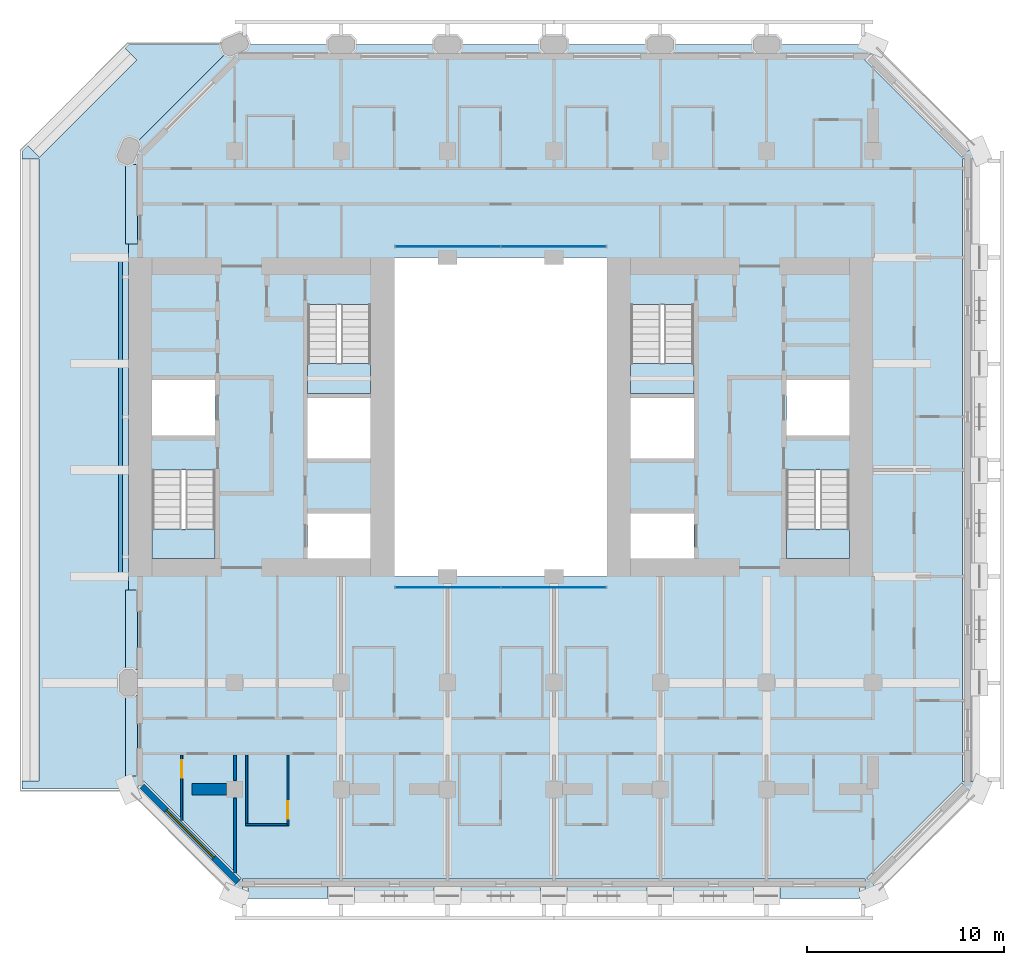
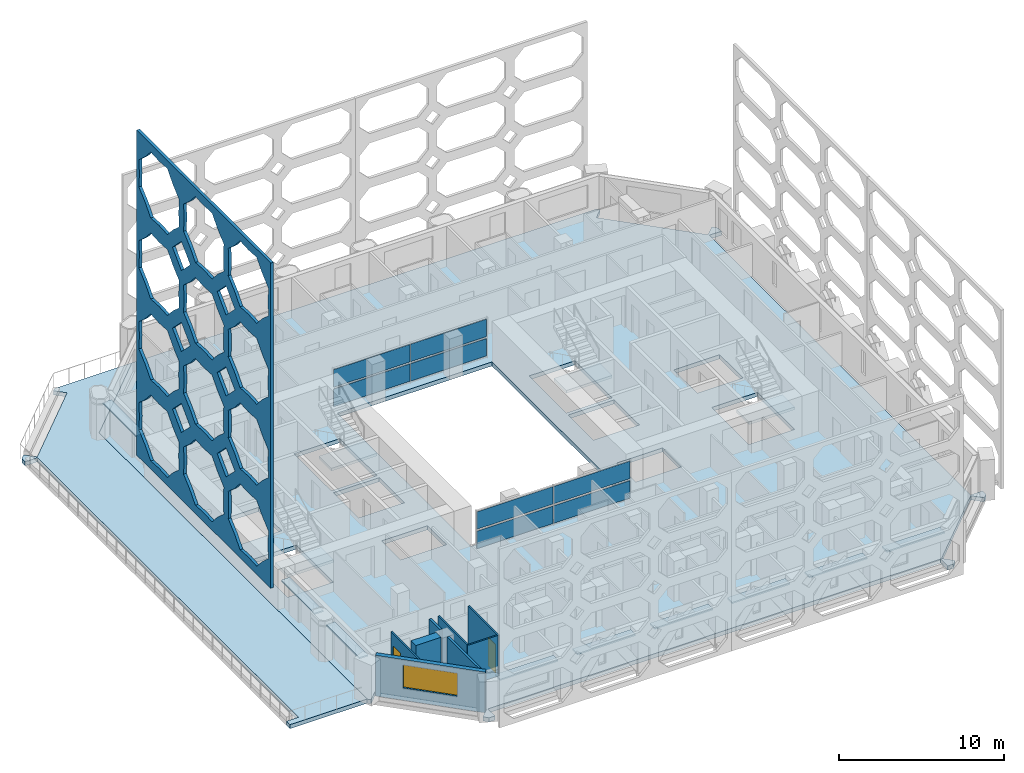
# One storey, part 5 of 16: 18 plates, 8 walls, 6 slabs, 2 doors, 1 window, 3 openings, 6 elements without a shape of their own.
"""IFC4 building model written with IfcOpenShell, lengths in metres."""

import ifcopenshell
import ifcopenshell.guid

model = None  # the IFC model being written
_history = None  # IfcOwnerHistory: only IFC2X3 demands one
_inside = {}  # id of a spatial element -> (the spatial element, [elements in it])
_under = {}  # id of a project, library or spatial element -> (it, [spatial elements below it])
_declared = {}  # id of a project -> (the project, [libraries it declares])
_typed = {}  # id of a type object -> (the type object, [elements of that type])
_made_of = {}  # id of a material, layer set ... -> (it, [elements and type objects made of it])


def new_model(schema):
    """Start an empty IFC model of exactly this schema.

    Asked for "IFC4X3", IfcOpenShell would pick the latest addendum, in which some entities
    have other attributes; the version numbers below select the first issue.
    IFC2X3 requires an IfcOwnerHistory on every rooted entity: one is made here for all.
    """
    global model, _history
    if schema == "IFC4X3":
        model = ifcopenshell.file(schema_version=(4, 3, 0, 0))
    else:
        model = ifcopenshell.file(schema=schema)
    _inside.clear()
    _under.clear()
    _declared.clear()
    _typed.clear()
    _made_of.clear()
    _history = None
    if model.schema == "IFC2X3":
        org = make("IfcOrganization", Name="unknown")
        user = make(
            "IfcPersonAndOrganization",
            ThePerson=make("IfcPerson", FamilyName="unknown"),
            TheOrganization=org,
        )
        app = make(
            "IfcApplication",
            ApplicationDeveloper=org,
            Version="unknown",
            ApplicationFullName="unknown",
            ApplicationIdentifier="unknown",
        )
        _history = make(
            "IfcOwnerHistory",
            OwningUser=user,
            OwningApplication=app,
            ChangeAction="ADDED",
            CreationDate=0,
        )
    return model


def make(cls, **values):
    """One entity of the class cls with the attributes given. An attribute that is None is left unset."""
    return model.create_entity(
        cls, **{name: value for name, value in values.items() if value is not None}
    )


def rooted(cls, **values):
    """An entity with a GlobalId (a new one), such as an element, a storey or a relation."""
    return make(cls, GlobalId=ifcopenshell.guid.new(), OwnerHistory=_history, **values)


def si_unit(unit_type, name, prefix=None):
    """IfcSIUnit, for example si_unit("LENGTHUNIT", "METRE", prefix="MILLI")."""
    return make("IfcSIUnit", UnitType=unit_type, Prefix=prefix, Name=name)


def assignment(units):
    """IfcUnitAssignment: the units of a project."""
    return None if units is None else make("IfcUnitAssignment", Units=units)


def point(xyz):
    """IfcCartesianPoint."""
    return None if xyz is None else make("IfcCartesianPoint", Coordinates=xyz)


def direction(xyz):
    """IfcDirection."""
    return None if xyz is None else make("IfcDirection", DirectionRatios=xyz)


def frame(location, z_axis=None, x_axis=None):
    """IfcAxis2Placement3D, a coordinate frame: its origin and axes. An axis left out is left unset."""
    return make(
        "IfcAxis2Placement3D",
        Location=point(location),
        Axis=direction(z_axis),
        RefDirection=direction(x_axis),
    )


def frame_2d(location, x_axis=None):
    """IfcAxis2Placement2D, a coordinate frame in the plane: its origin and x axis."""
    return make(
        "IfcAxis2Placement2D", Location=point(location), RefDirection=direction(x_axis)
    )


def origin():
    """The frame at (0, 0, 0) with its axes left unset."""
    return frame((0.0, 0.0, 0.0))


def origin_2d():
    """The frame at (0, 0) in the plane with its x axis left unset."""
    return frame_2d((0.0, 0.0))


def place(relative_to, where):
    """IfcLocalPlacement: puts the frame where relative to a parent placement (None: the world)."""
    return make(
        "IfcLocalPlacement", PlacementRelTo=relative_to, RelativePlacement=where
    )


def context(
    kind, dimensions, precision=None, world=None, true_north=None, identifier=None
):
    """IfcGeometricRepresentationContext, for example the 3D "Model" context."""
    return make(
        "IfcGeometricRepresentationContext",
        ContextIdentifier=identifier,
        ContextType=kind,
        CoordinateSpaceDimension=dimensions,
        Precision=precision,
        WorldCoordinateSystem=world,
        TrueNorth=true_north,
    )


def subcontext(parent, identifier, kind, view, scale=None):
    """IfcGeometricRepresentationSubContext, for example "Body" below "Model"."""
    return make(
        "IfcGeometricRepresentationSubContext",
        ContextIdentifier=identifier,
        ContextType=kind,
        ParentContext=parent,
        TargetScale=scale,
        TargetView=view,
    )


def project(units=None, contexts=None):
    """IfcProject with its units and contexts."""
    return rooted(
        "IfcProject",
        Name="project",
        RepresentationContexts=contexts,
        UnitsInContext=assignment(units),
    )


def spatial(cls, under=None, at=None, **own):
    """A site, building, storey or space (cls), placed at a placement, below another one or the project."""
    s = rooted(cls, ObjectPlacement=at, **own)
    if under is not None:
        _under.setdefault(under.id(), (under, []))[1].append(s)
    return s


def polyline(points):
    """IfcPolyline through the points."""
    return make("IfcPolyline", Points=[point(p) for p in points])


def profile(cls, at=None, kind="AREA", **sizes):
    """A parametric profile (cls). Its sizes go by their IFC names, for example OverallWidth=200.0."""
    return make(cls, ProfileType=kind, Position=at, **sizes)


def rectangle(**sizes):
    """IfcRectangleProfileDef."""
    return profile("IfcRectangleProfileDef", **sizes)


def outline(outer, holes=None, kind="AREA"):
    """IfcArbitraryClosedProfileDef: a profile drawn as a closed curve; with holes, ...WithVoids."""
    if holes is None:
        return make("IfcArbitraryClosedProfileDef", ProfileType=kind, OuterCurve=outer)
    return make(
        "IfcArbitraryProfileDefWithVoids",
        ProfileType=kind,
        OuterCurve=outer,
        InnerCurves=holes,
    )


def extrude(swept, where, along, depth):
    """IfcExtrudedAreaSolid: the profile swept, set in the frame where, extruded along a direction by depth."""
    return make(
        "IfcExtrudedAreaSolid",
        SweptArea=swept,
        Position=where,
        ExtrudedDirection=direction(along),
        Depth=depth,
    )


def shape(context_of_items, identifier, shape_type, items):
    """IfcShapeRepresentation: the items that make up one representation, for example the "Body"."""
    return make(
        "IfcShapeRepresentation",
        ContextOfItems=context_of_items,
        RepresentationIdentifier=identifier,
        RepresentationType=shape_type,
        Items=items,
    )


def material(Name=None, Category=None):
    """IfcMaterial."""
    return make("IfcMaterial", Name=Name, Category=Category)


def layer(
    of_material, thickness, ventilated=None, Name=None, Category=None, Priority=None
):
    """IfcMaterialLayer: one layer of a wall or slab, of a material (None: an air gap)."""
    return make(
        "IfcMaterialLayer",
        Material=of_material,
        LayerThickness=thickness,
        IsVentilated=ventilated,
        Name=Name,
        Category=Category,
        Priority=Priority,
    )


def layer_set(layers, Name=None):
    """IfcMaterialLayerSet."""
    return make("IfcMaterialLayerSet", MaterialLayers=layers, LayerSetName=Name)


def made_of(thing, what):
    """Note that an element or type object is made of a material, layer set ...; save() writes the relation."""
    if what is not None:
        _made_of.setdefault(what.id(), (what, []))[1].append(thing)
    return thing


def type_object(cls, material=None, **own):
    """A type object (cls), such as IfcWallType, which elements share."""
    return made_of(rooted(cls, **own), material)


def element(
    cls,
    number,
    at=None,
    inside=None,
    cuts=None,
    type_object=None,
    material=None,
    context=None,
    identifier="Body",
    shape_type=None,
    held_by="IfcProductDefinitionShape",
    body=None,
    shapes=None,
    **own,
):
    """One element of the class cls, such as IfcWall. Its Tag is "e" and its number.

    at: its placement. inside: the storey or other place that contains it. cuts: it is an
    opening in that element (IfcRelVoidsElement). A single representation is given by context,
    identifier, shape_type and body (its items); several are given by shapes. held_by: the class
    of the entity that holds the representations. save() writes the other relations.
    """
    e = rooted(cls, Tag="e%d" % number, ObjectPlacement=at, **own)
    if body is not None:
        shapes = [shape(context, identifier, shape_type, body)]
    if shapes is not None:
        e.Representation = make(held_by, Representations=shapes)
    if inside is not None:
        _inside.setdefault(inside.id(), (inside, []))[1].append(e)
    if cuts is not None:
        rooted(
            "IfcRelVoidsElement", RelatingBuildingElement=cuts, RelatedOpeningElement=e
        )
    if type_object is not None:
        _typed.setdefault(type_object.id(), (type_object, []))[1].append(e)
    return made_of(e, material)


def fill(opening, filler):
    """IfcRelFillsElement: the door or window that sits in an opening."""
    return rooted(
        "IfcRelFillsElement",
        RelatingOpeningElement=opening,
        RelatedBuildingElement=filler,
    )


def aggregate(whole, parts):
    """IfcRelAggregates: a whole, such as a stair, and the parts it consists of."""
    return rooted("IfcRelAggregates", RelatingObject=whole, RelatedObjects=parts)


def save(model, path):
    """Write the relations noted so far, then the file.

    IfcRelAggregates (storeys below a building ...), IfcRelContainedInSpatialStructure (elements
    in a storey), IfcRelDefinesByType, IfcRelAssociatesMaterial and IfcRelDeclares: one each for
    every whole, place, type object, material and project.
    """
    for whole, parts in _under.values():
        aggregate(whole, parts)
    for where, things in _inside.values():
        rooted(
            "IfcRelContainedInSpatialStructure",
            RelatedElements=things,
            RelatingStructure=where,
        )
    for kind, things in _typed.values():
        rooted("IfcRelDefinesByType", RelatedObjects=things, RelatingType=kind)
    for what, things in _made_of.values():
        rooted("IfcRelAssociatesMaterial", RelatedObjects=things, RelatingMaterial=what)
    for by, libraries in _declared.values():
        rooted("IfcRelDeclares", RelatingContext=by, RelatedDefinitions=libraries)
    model.write(path)


model = new_model("IFC4")

# Units and contexts
model_context = context("Model", 3, precision=1e-05, world=origin(), true_north=direction((0.0, 1.0)))
body_context = subcontext(model_context, "Body", "Model", "MODEL_VIEW")
ifc_project = project(units=[si_unit("LENGTHUNIT", "METRE"), si_unit("AREAUNIT", "SQUARE_METRE"), si_unit("VOLUMEUNIT", "CUBIC_METRE"), si_unit("PLANEANGLEUNIT", "RADIAN"), si_unit("MASSUNIT", "GRAM", prefix="KILO")], contexts=[model_context])

# Site, building, storey
site_placement = place(None, origin())
site = spatial("IfcSite", under=ifc_project, at=site_placement, CompositionType="ELEMENT")
building_placement = place(site_placement, origin())
building = spatial("IfcBuilding", under=site, at=building_placement, Name="Tabaq Tower and Sports Hall", CompositionType="ELEMENT")
storey_placement = place(building_placement, frame((0.0, 0.0, 152.800048828125)))
storey = spatial("IfcBuildingStorey", under=building, at=storey_placement, Name="L35", CompositionType="ELEMENT", Elevation=152.800048828125)

# Curtain wall, plates
ifc_material_1 = material(Name="Aluminium alloy 6063-T6 framed glazing", Category="aluminium")
curtain_wall_type = type_object("IfcCurtainWallType", Name="CW1 curtain wall", PredefinedType="USERDEFINED", material=ifc_material_1)
curtain_wall_1_placement = place(storey_placement, origin())
curtain_wall_1 = element("IfcCurtainWall", 1, at=curtain_wall_1_placement, inside=storey, type_object=curtain_wall_type, Name="Atrium glazing L35 S", ObjectType="ATRIUM ENCLOSURE", PredefinedType="USERDEFINED")
ifc_material_2 = material(Name="Clear low-emissivity glass 28 mm", Category="glass")
ifc_layer_1 = layer(ifc_material_2, 0.028076171875)
ifc_layer_set_1 = layer_set([ifc_layer_1], Name="CW1 glass panel 28")
plate_type_1 = type_object("IfcPlateType", Name="CW1 glass panel 28", PredefinedType="CURTAIN_PANEL", material=ifc_layer_set_1)
plate_1_placement = place(storey_placement, frame((21.614990234375, 15.64990234375, 0.139892578125), z_axis=(0.0, 0.0, 1.0), x_axis=(1.0, 0.0, 0.0)))
plate_1 = element("IfcPlate", 2, at=plate_1_placement, type_object=plate_type_1, Name="CW1 panel 1.1", PredefinedType="CURTAIN_PANEL", context=body_context, shape_type="SweptSolid", body=[
    extrude(rectangle(XDim=5.31005859375, YDim=0.028076171875, at=origin_2d()), origin(), (0.0, 0.0, 1.0), 1.2900390625),
])
plate_2_placement = place(storey_placement, frame((21.614990234375, 15.64990234375, 1.56982421875), z_axis=(0.0, 0.0, 1.0), x_axis=(1.0, 0.0, 0.0)))
plate_2 = element("IfcPlate", 3, at=plate_2_placement, type_object=plate_type_1, Name="CW1 panel 1.2", PredefinedType="CURTAIN_PANEL", context=body_context, shape_type="SweptSolid", body=[
    extrude(rectangle(XDim=5.31005859375, YDim=0.028076171875, at=origin_2d()), origin(), (0.0, 0.0, 1.0), 1.2900390625),
])
plate_3_placement = place(storey_placement, frame((26.985107421875, 15.64990234375, 0.139892578125), z_axis=(0.0, 0.0, 1.0), x_axis=(1.0, 0.0, 0.0)))
plate_3 = element("IfcPlate", 4, at=plate_3_placement, type_object=plate_type_1, Name="CW1 panel 2.1", PredefinedType="CURTAIN_PANEL", context=body_context, shape_type="SweptSolid", body=[
    extrude(rectangle(XDim=5.31005859375, YDim=0.028076171875, at=origin_2d()), origin(), (0.0, 0.0, 1.0), 1.2900390625),
])
plate_4_placement = place(storey_placement, frame((26.985107421875, 15.64990234375, 1.56982421875), z_axis=(0.0, 0.0, 1.0), x_axis=(1.0, 0.0, 0.0)))
plate_4 = element("IfcPlate", 5, at=plate_4_placement, type_object=plate_type_1, Name="CW1 panel 2.2", PredefinedType="CURTAIN_PANEL", context=body_context, shape_type="SweptSolid", body=[
    extrude(rectangle(XDim=5.31005859375, YDim=0.028076171875, at=origin_2d()), origin(), (0.0, 0.0, 1.0), 1.2900390625),
])
aggregate(curtain_wall_1, [plate_1, plate_2, plate_3, plate_4])

curtain_wall_2_placement = place(storey_placement, origin())
curtain_wall_2 = element("IfcCurtainWall", 6, at=curtain_wall_2_placement, inside=storey, type_object=curtain_wall_type, Name="Atrium glazing L35 N", ObjectType="ATRIUM ENCLOSURE", PredefinedType="USERDEFINED")
plate_5_placement = place(storey_placement, frame((21.614990234375, 32.949951171875, 0.139892578125), z_axis=(0.0, 0.0, 1.0), x_axis=(1.0, 0.0, 0.0)))
plate_5 = element("IfcPlate", 7, at=plate_5_placement, type_object=plate_type_1, Name="CW1 panel 1.1", PredefinedType="CURTAIN_PANEL", context=body_context, shape_type="SweptSolid", body=[
    extrude(rectangle(XDim=5.31005859375, YDim=0.028076171875, at=origin_2d()), origin(), (0.0, 0.0, 1.0), 1.2900390625),
])
plate_6_placement = place(storey_placement, frame((21.614990234375, 32.949951171875, 1.56982421875), z_axis=(0.0, 0.0, 1.0), x_axis=(1.0, 0.0, 0.0)))
plate_6 = element("IfcPlate", 8, at=plate_6_placement, type_object=plate_type_1, Name="CW1 panel 1.2", PredefinedType="CURTAIN_PANEL", context=body_context, shape_type="SweptSolid", body=[
    extrude(rectangle(XDim=5.31005859375, YDim=0.028076171875, at=origin_2d()), origin(), (0.0, 0.0, 1.0), 1.2900390625),
])
plate_7_placement = place(storey_placement, frame((26.985107421875, 32.949951171875, 0.139892578125), z_axis=(0.0, 0.0, 1.0), x_axis=(1.0, 0.0, 0.0)))
plate_7 = element("IfcPlate", 9, at=plate_7_placement, type_object=plate_type_1, Name="CW1 panel 2.1", PredefinedType="CURTAIN_PANEL", context=body_context, shape_type="SweptSolid", body=[
    extrude(rectangle(XDim=5.31005859375, YDim=0.028076171875, at=origin_2d()), origin(), (0.0, 0.0, 1.0), 1.2900390625),
])
plate_8_placement = place(storey_placement, frame((26.985107421875, 32.949951171875, 1.56982421875), z_axis=(0.0, 0.0, 1.0), x_axis=(1.0, 0.0, 0.0)))
plate_8 = element("IfcPlate", 10, at=plate_8_placement, type_object=plate_type_1, Name="CW1 panel 2.2", PredefinedType="CURTAIN_PANEL", context=body_context, shape_type="SweptSolid", body=[
    extrude(rectangle(XDim=5.31005859375, YDim=0.028076171875, at=origin_2d()), origin(), (0.0, 0.0, 1.0), 1.2900390625),
])
aggregate(curtain_wall_2, [plate_5, plate_6, plate_7, plate_8])

# Stair, slab
ifc_material_3 = material(Name="Concrete C40/50", Category="concrete")
stair_type = type_object("IfcStairType", Name="Exit stair", PredefinedType="HALF_TURN_STAIR", material=ifc_material_3)
stair_1_placement = place(storey_placement, origin())
stair_1 = element("IfcStair", 11, at=stair_1_placement, inside=storey, type_object=stair_type, Name="L35 Exit stair ST1", PredefinedType="HALF_TURN_STAIR")
ifc_material_4 = material(Name="Concrete C40/50", Category="concrete")
ifc_layer_2 = layer(ifc_material_4, 0.199951171875)
ifc_layer_set_2 = layer_set([ifc_layer_2], Name="Exit stair landing")
slab_type_1 = type_object("IfcSlabType", Name="Exit stair landing", PredefinedType="LANDING", material=ifc_layer_set_2)
slab_1_placement = place(storey_placement, frame((0.0, 0.0, 1.449951171875)))
slab_1 = element("IfcSlab", 12, at=slab_1_placement, type_object=slab_type_1, Name="ST1 landing 1", PredefinedType="LANDING", context=body_context, shape_type="SweptSolid", body=[
    extrude(outline(polyline([(6.60009765625, 18.60009765625), (6.60009765625, 17.10009765625), (9.800048828125, 17.10009765625), (9.800048828125, 18.60009765625), (6.60009765625, 18.60009765625)])), origin(), (0.0, 0.0, 1.0), 0.199951171875),
])
aggregate(stair_1, [slab_1])

stair_2_placement = place(storey_placement, origin())
stair_2 = element("IfcStair", 13, at=stair_2_placement, inside=storey, type_object=stair_type, Name="L35 Exit stair ST2", PredefinedType="HALF_TURN_STAIR")
slab_2_placement = place(storey_placement, frame((0.0, 0.0, 1.449951171875)))
slab_2 = element("IfcSlab", 14, at=slab_2_placement, type_object=slab_type_1, Name="ST2 landing 1", PredefinedType="LANDING", context=body_context, shape_type="SweptSolid", body=[
    extrude(outline(polyline([(14.5, 27.0), (14.5, 25.5), (17.699951171875, 25.5), (17.699951171875, 27.0), (14.5, 27.0)])), origin(), (0.0, 0.0, 1.0), 0.199951171875),
])
aggregate(stair_2, [slab_2])

stair_3_placement = place(storey_placement, origin())
stair_3 = element("IfcStair", 15, at=stair_3_placement, inside=storey, type_object=stair_type, Name="L35 Exit stair ST3", PredefinedType="HALF_TURN_STAIR")
slab_3_placement = place(storey_placement, frame((0.0, 0.0, 1.449951171875)))
slab_3 = element("IfcSlab", 16, at=slab_3_placement, type_object=slab_type_1, Name="ST3 landing 1", PredefinedType="LANDING", context=body_context, shape_type="SweptSolid", body=[
    extrude(outline(polyline([(38.800048828125, 18.60009765625), (38.800048828125, 17.10009765625), (42.0, 17.10009765625), (42.0, 18.60009765625), (38.800048828125, 18.60009765625)])), origin(), (0.0, 0.0, 1.0), 0.199951171875),
])
aggregate(stair_3, [slab_3])

stair_4_placement = place(storey_placement, origin())
stair_4 = element("IfcStair", 17, at=stair_4_placement, inside=storey, type_object=stair_type, Name="L35 Exit stair ST4", PredefinedType="HALF_TURN_STAIR")
slab_4_placement = place(storey_placement, frame((0.0, 0.0, 1.449951171875)))
slab_4 = element("IfcSlab", 18, at=slab_4_placement, type_object=slab_type_1, Name="ST4 landing 1", PredefinedType="LANDING", context=body_context, shape_type="SweptSolid", body=[
    extrude(outline(polyline([(30.89990234375, 27.0), (30.89990234375, 25.5), (34.10009765625, 25.5), (34.10009765625, 27.0), (30.89990234375, 27.0)])), origin(), (0.0, 0.0, 1.0), 0.199951171875),
])
aggregate(stair_4, [slab_4])

# Slabs
ifc_material_5 = material(Name="Concrete C40/50", Category="concrete")
ifc_layer_3 = layer(ifc_material_5, 0.300048828125)
ifc_layer_set_3 = layer_set([ifc_layer_3], Name="PT FLOOR SLAB 300 C40/50")
slab_type_2 = type_object("IfcSlabType", Name="PT FLOOR SLAB 300 C40/50", PredefinedType="FLOOR", material=ifc_layer_set_3)
slab_5_placement = place(storey_placement, frame((0.0, 0.0, -0.300048828125)))
element("IfcSlab", 19, at=slab_5_placement, inside=storey, type_object=slab_type_2, Name="Floor Slab L35", PredefinedType="FLOOR", context=body_context, shape_type="SweptSolid", body=[
    extrude(outline(polyline([(5.39990234375, 37.800048828125), (5.39990234375, 5.39990234375), (5.57666015625, 5.22314453125), (6.107177734375, 5.753662109375), (6.177734375, 5.82421875), (11.11669921875, 0.88525390625), (11.0458984375, 0.814697265625), (10.515625, 0.284423828125), (10.800048828125, 0.0), (11.2021484375, 0.0), (11.2021484375, 0.75), (11.2021484375, 0.85009765625), (42.7978515625, 0.85009765625), (42.7978515625, 0.75), (42.7978515625, 0.0), (43.199951171875, 0.0), (43.484375, 0.284423828125), (42.88330078125, 0.88525390625), (47.714599609375, 5.716796875), (47.785400390625, 5.64599609375), (48.315673828125, 5.11572265625), (48.60009765625, 5.39990234375), (48.60009765625, 5.802001953125), (47.85009765625, 5.802001953125), (47.75, 5.802001953125), (47.75, 37.39794921875), (47.85009765625, 37.39794921875), (48.60009765625, 37.39794921875), (48.60009765625, 37.800048828125), (48.315673828125, 38.084228515625), (47.785400390625, 37.553955078125), (47.714599609375, 37.483154296875), (42.775634765625, 42.422119140625), (42.846435546875, 42.492919921875), (43.376708984375, 43.023193359375), (43.199951171875, 43.199951171875), (10.800048828125, 43.199951171875), (5.39990234375, 37.800048828125)]), holes=[polyline([(14.5, 19.39990234375), (17.699951171875, 19.39990234375), (17.699951171875, 17.10009765625), (14.5, 17.10009765625), (14.5, 19.39990234375)]), polyline([(6.60009765625, 21.599365234375), (9.800048828125, 21.599365234375), (9.800048828125, 17.10009765625), (6.60009765625, 17.10009765625), (6.60009765625, 21.599365234375)]), polyline([(14.5, 25.25), (17.699951171875, 25.25), (17.699951171875, 22.199951171875), (14.5, 22.199951171875), (14.5, 25.25)]), polyline([(18.89990234375, 32.39990234375), (29.699951171875, 32.39990234375), (29.699951171875, 16.199951171875), (18.89990234375, 16.199951171875), (18.89990234375, 32.39990234375)]), polyline([(9.800048828125, 26.175048828125), (9.800048828125, 23.35009765625), (6.60009765625, 23.35009765625), (6.60009765625, 26.175048828125), (9.800048828125, 26.175048828125)]), polyline([(14.5, 29.99951171875), (17.699951171875, 29.99951171875), (17.699951171875, 25.5), (14.5, 25.5), (14.5, 29.99951171875)]), polyline([(34.10009765625, 19.39990234375), (34.10009765625, 17.10009765625), (30.89990234375, 17.10009765625), (30.89990234375, 19.39990234375), (34.10009765625, 19.39990234375)]), polyline([(42.0, 21.599365234375), (42.0, 17.10009765625), (38.800048828125, 17.10009765625), (38.800048828125, 21.599365234375), (42.0, 21.599365234375)]), polyline([(30.89990234375, 25.25), (34.10009765625, 25.25), (34.10009765625, 22.199951171875), (30.89990234375, 22.199951171875), (30.89990234375, 25.25)]), polyline([(42.0, 26.175048828125), (42.0, 23.35009765625), (38.800048828125, 23.35009765625), (38.800048828125, 26.175048828125), (42.0, 26.175048828125)]), polyline([(34.10009765625, 29.99951171875), (34.10009765625, 25.5), (30.89990234375, 25.5), (30.89990234375, 29.99951171875), (34.10009765625, 29.99951171875)])]), origin(), (0.0, 0.0, 1.0), 0.300048828125),
])
ifc_material_6 = material(Name="Concrete C40/50", Category="concrete")
ifc_layer_4 = layer(ifc_material_6, 0.300048828125)
ifc_layer_set_4 = layer_set([ifc_layer_4], Name="PT TERRACE SLAB 300 C40/50")
slab_type_3 = type_object("IfcSlabType", Name="PT TERRACE SLAB 300 C40/50", PredefinedType="FLOOR", material=ifc_layer_set_4)
slab_6_placement = place(storey_placement, frame((0.0, 0.0, -0.300048828125)))
element("IfcSlab", 20, at=slab_6_placement, inside=storey, type_object=slab_type_3, Name="Terrace Slab L35", PredefinedType="FLOOR", context=body_context, shape_type="SweptSolid", body=[
    extrude(outline(polyline([(0.284423828125, 38.084228515625), (0.0, 37.800048828125), (0.0, 37.39794921875), (0.75, 37.39794921875), (0.85009765625, 37.39794921875), (0.85009765625, 5.81494140625), (0.75, 5.81494140625), (0.0, 5.81494140625), (0.0, 5.39990234375), (5.39990234375, 5.39990234375), (5.39990234375, 37.800048828125), (10.800048828125, 43.199951171875), (5.39990234375, 43.199951171875), (5.22314453125, 43.023193359375), (5.753662109375, 42.492919921875), (5.82421875, 42.422119140625), (0.88525390625, 37.483154296875), (0.284423828125, 38.084228515625)])), origin(), (0.0, 0.0, 1.0), 0.300048828125),
])

# Plates
ifc_material_7 = material(Name="White precast concrete C60/75 pierced screen", Category="concrete")
ifc_layer_5 = layer(ifc_material_7, 0.199951171875)
ifc_layer_set_5 = layer_set([ifc_layer_5], Name="White precast concrete C60/75 girih screen 200")
plate_type_2 = type_object("IfcPlateType", Name="White precast concrete C60/75 girih screen 200", PredefinedType="USERDEFINED", material=ifc_layer_set_5)
plate_9_placement = place(storey_placement, frame((5.0, 32.39990234375, 1.800048828125), z_axis=(0.0, 0.0, 1.0), x_axis=(0.0, -1.0, 0.0)))
element("IfcPlate", 21, at=plate_9_placement, inside=storey, type_object=plate_type_2, Name="Girih screen H1 W", ObjectType="SCREEN", PredefinedType="USERDEFINED", context=body_context, shape_type="SweptSolid", body=[
    extrude(outline(polyline([(0.0, 0.0), (16.199951171875, 0.0), (16.199951171875, 24.0), (0.0, 24.0), (0.0, 0.0)]), holes=[polyline([(5.134521484375, 4.0458984375), (4.376953125, 4.71435546875), (3.70849609375, 5.471923828125), (2.699951171875, 5.4091796875), (1.691650390625, 5.471923828125), (1.02294921875, 4.71435546875), (0.265380859375, 4.0458984375), (0.328369140625, 3.037353515625), (0.265380859375, 2.029052734375), (1.02294921875, 1.3603515625), (1.691650390625, 0.602783203125), (2.699951171875, 0.665771484375), (3.70849609375, 0.602783203125), (4.376953125, 1.3603515625), (5.134521484375, 2.029052734375), (5.07177734375, 3.037353515625), (5.134521484375, 4.0458984375)]), polyline([(5.134521484375, 10.020751953125), (4.376953125, 10.689453125), (3.70849609375, 11.447021484375), (2.699951171875, 11.384033203125), (1.691650390625, 11.447021484375), (1.02294921875, 10.689453125), (0.265380859375, 10.020751953125), (0.328369140625, 9.012451171875), (0.265380859375, 8.00390625), (1.02294921875, 7.33544921875), (1.691650390625, 6.577880859375), (2.699951171875, 6.640625), (3.70849609375, 6.577880859375), (4.376953125, 7.33544921875), (5.134521484375, 8.00390625), (5.07177734375, 9.012451171875), (5.134521484375, 10.020751953125)]), polyline([(5.134521484375, 15.995849609375), (4.376953125, 16.66455078125), (3.70849609375, 17.422119140625), (2.699951171875, 17.359130859375), (1.691650390625, 17.422119140625), (1.02294921875, 16.66455078125), (0.265380859375, 15.995849609375), (0.328369140625, 14.9873046875), (0.265380859375, 13.97900390625), (1.02294921875, 13.310302734375), (1.691650390625, 12.552734375), (2.699951171875, 12.61572265625), (3.70849609375, 12.552734375), (4.376953125, 13.310302734375), (5.134521484375, 13.97900390625), (5.07177734375, 14.9873046875), (5.134521484375, 15.995849609375)]), polyline([(5.134521484375, 21.970947265625), (4.376953125, 22.639404296875), (3.70849609375, 23.39697265625), (2.699951171875, 23.333984375), (1.691650390625, 23.39697265625), (1.02294921875, 22.639404296875), (0.265380859375, 21.970947265625), (0.328369140625, 20.96240234375), (0.265380859375, 19.953857421875), (1.02294921875, 19.285400390625), (1.691650390625, 18.52783203125), (2.699951171875, 18.5908203125), (3.70849609375, 18.52783203125), (4.376953125, 19.285400390625), (5.134521484375, 19.953857421875), (5.07177734375, 20.96240234375), (5.134521484375, 21.970947265625)]), polyline([(10.53466796875, 4.0458984375), (9.777099609375, 4.71435546875), (9.1083984375, 5.471923828125), (8.10009765625, 5.4091796875), (7.091552734375, 5.471923828125), (6.4228515625, 4.71435546875), (5.665283203125, 4.0458984375), (5.728271484375, 3.037353515625), (5.665283203125, 2.029052734375), (6.4228515625, 1.3603515625), (7.091552734375, 0.602783203125), (8.10009765625, 0.665771484375), (9.1083984375, 0.602783203125), (9.777099609375, 1.3603515625), (10.53466796875, 2.029052734375), (10.4716796875, 3.037353515625), (10.53466796875, 4.0458984375)]), polyline([(10.53466796875, 10.020751953125), (9.777099609375, 10.689453125), (9.1083984375, 11.447021484375), (8.10009765625, 11.384033203125), (7.091552734375, 11.447021484375), (6.4228515625, 10.689453125), (5.665283203125, 10.020751953125), (5.728271484375, 9.012451171875), (5.665283203125, 8.00390625), (6.4228515625, 7.33544921875), (7.091552734375, 6.577880859375), (8.10009765625, 6.640625), (9.1083984375, 6.577880859375), (9.777099609375, 7.33544921875), (10.53466796875, 8.00390625), (10.4716796875, 9.012451171875), (10.53466796875, 10.020751953125)]), polyline([(10.53466796875, 15.995849609375), (9.777099609375, 16.66455078125), (9.1083984375, 17.422119140625), (8.10009765625, 17.359130859375), (7.091552734375, 17.422119140625), (6.4228515625, 16.66455078125), (5.665283203125, 15.995849609375), (5.728271484375, 14.9873046875), (5.665283203125, 13.97900390625), (6.4228515625, 13.310302734375), (7.091552734375, 12.552734375), (8.10009765625, 12.61572265625), (9.1083984375, 12.552734375), (9.777099609375, 13.310302734375), (10.53466796875, 13.97900390625), (10.4716796875, 14.9873046875), (10.53466796875, 15.995849609375)]), polyline([(10.53466796875, 21.970947265625), (9.777099609375, 22.639404296875), (9.1083984375, 23.39697265625), (8.10009765625, 23.333984375), (7.091552734375, 23.39697265625), (6.4228515625, 22.639404296875), (5.665283203125, 21.970947265625), (5.728271484375, 20.96240234375), (5.665283203125, 19.953857421875), (6.4228515625, 19.285400390625), (7.091552734375, 18.52783203125), (8.10009765625, 18.5908203125), (9.1083984375, 18.52783203125), (9.777099609375, 19.285400390625), (10.53466796875, 19.953857421875), (10.4716796875, 20.96240234375), (10.53466796875, 21.970947265625)]), polyline([(15.9345703125, 4.0458984375), (15.177001953125, 4.71435546875), (14.508544921875, 5.471923828125), (13.5, 5.4091796875), (12.491455078125, 5.471923828125), (11.822998046875, 4.71435546875), (11.0654296875, 4.0458984375), (11.12841796875, 3.037353515625), (11.0654296875, 2.029052734375), (11.822998046875, 1.3603515625), (12.491455078125, 0.602783203125), (13.5, 0.665771484375), (14.508544921875, 0.602783203125), (15.177001953125, 1.3603515625), (15.9345703125, 2.029052734375), (15.87158203125, 3.037353515625), (15.9345703125, 4.0458984375)]), polyline([(15.9345703125, 10.020751953125), (15.177001953125, 10.689453125), (14.508544921875, 11.447021484375), (13.5, 11.384033203125), (12.491455078125, 11.447021484375), (11.822998046875, 10.689453125), (11.0654296875, 10.020751953125), (11.12841796875, 9.012451171875), (11.0654296875, 8.00390625), (11.822998046875, 7.33544921875), (12.491455078125, 6.577880859375), (13.5, 6.640625), (14.508544921875, 6.577880859375), (15.177001953125, 7.33544921875), (15.9345703125, 8.00390625), (15.87158203125, 9.012451171875), (15.9345703125, 10.020751953125)]), polyline([(15.9345703125, 15.995849609375), (15.177001953125, 16.66455078125), (14.508544921875, 17.422119140625), (13.5, 17.359130859375), (12.491455078125, 17.422119140625), (11.822998046875, 16.66455078125), (11.0654296875, 15.995849609375), (11.12841796875, 14.9873046875), (11.0654296875, 13.97900390625), (11.822998046875, 13.310302734375), (12.491455078125, 12.552734375), (13.5, 12.61572265625), (14.508544921875, 12.552734375), (15.177001953125, 13.310302734375), (15.9345703125, 13.97900390625), (15.87158203125, 14.9873046875), (15.9345703125, 15.995849609375)]), polyline([(15.9345703125, 21.970947265625), (15.177001953125, 22.639404296875), (14.508544921875, 23.39697265625), (13.5, 23.333984375), (12.491455078125, 23.39697265625), (11.822998046875, 22.639404296875), (11.0654296875, 21.970947265625), (11.12841796875, 20.96240234375), (11.0654296875, 19.953857421875), (11.822998046875, 19.285400390625), (12.491455078125, 18.52783203125), (13.5, 18.5908203125), (14.508544921875, 18.52783203125), (15.177001953125, 19.285400390625), (15.9345703125, 19.953857421875), (15.87158203125, 20.96240234375), (15.9345703125, 21.970947265625)]), polyline([(6.47998046875, 6.02490234375), (5.39990234375, 7.10498046875), (4.320068359375, 6.02490234375), (5.39990234375, 4.94482421875), (6.47998046875, 6.02490234375)]), polyline([(6.47998046875, 12.0), (5.39990234375, 13.079833984375), (4.320068359375, 12.0), (5.39990234375, 10.919921875), (6.47998046875, 12.0)]), polyline([(6.47998046875, 17.974853515625), (5.39990234375, 19.054931640625), (4.320068359375, 17.974853515625), (5.39990234375, 16.89501953125), (6.47998046875, 17.974853515625)]), polyline([(11.8798828125, 6.02490234375), (10.800048828125, 7.10498046875), (9.719970703125, 6.02490234375), (10.800048828125, 4.94482421875), (11.8798828125, 6.02490234375)]), polyline([(11.8798828125, 12.0), (10.800048828125, 13.079833984375), (9.719970703125, 12.0), (10.800048828125, 10.919921875), (11.8798828125, 12.0)]), polyline([(11.8798828125, 17.974853515625), (10.800048828125, 19.054931640625), (9.719970703125, 17.974853515625), (10.800048828125, 16.89501953125), (11.8798828125, 17.974853515625)])]), frame((0.0, 0.10009765625, 0.0), z_axis=(0.0, -1.0, 0.0), x_axis=(1.0, 0.0, 0.0)), (0.0, 0.0, 1.0), 0.199951171875),
])
ifc_material_8 = material(Name="White precast concrete C60/75 blade", Category="concrete")
ifc_layer_6 = layer(ifc_material_8, 0.10009765625)
ifc_layer_set_6 = layer_set([ifc_layer_6], Name="White precast concrete C60/75 sunshade 100")
plate_type_3 = type_object("IfcPlateType", Name="White precast concrete C60/75 sunshade 100", PredefinedType="USERDEFINED", material=ifc_layer_set_6)
for number, where, z_axis, x_axis, name in (
    (22, (13.5, 0.14990234375, 2.599853515625), (0.0, 0.0, 1.0), (1.0, 0.0, 0.0), "Sunshade L35 S"),
    (23, (18.89990234375, 0.14990234375, 2.599853515625), (0.0, 0.0, 1.0), (1.0, 0.0, 0.0), "Sunshade L35 S"),
    (24, (24.300048828125, 0.14990234375, 2.599853515625), (0.0, 0.0, 1.0), (1.0, 0.0, 0.0), "Sunshade L35 S"),
    (25, (29.699951171875, 0.14990234375, 2.599853515625), (0.0, 0.0, 1.0), (1.0, 0.0, 0.0), "Sunshade L35 S"),
    (26, (35.10009765625, 0.14990234375, 2.599853515625), (0.0, 0.0, 1.0), (1.0, 0.0, 0.0), "Sunshade L35 S"),
    (27, (40.5, 0.14990234375, 2.599853515625), (0.0, 0.0, 1.0), (1.0, 0.0, 0.0), "Sunshade L35 S"),
    (28, (5.550048828125, 35.10009765625, 2.599853515625), (0.0, 0.0, 1.0), (0.0, -1.0, 0.0), "Sunshade L35 W"),
    (29, (5.550048828125, 13.5, 2.599853515625), (0.0, 0.0, 1.0), (0.0, -1.0, 0.0), "Sunshade L35 W"),
    (30, (5.550048828125, 8.10009765625, 2.599853515625), (0.0, 0.0, 1.0), (0.0, -1.0, 0.0), "Sunshade L35 W"),
):
    element("IfcPlate", number, at=place(storey_placement, frame(where, z_axis=z_axis, x_axis=x_axis)), inside=storey, type_object=plate_type_3, Name=name, ObjectType="SUNSHADE", PredefinedType="USERDEFINED", context=body_context, shape_type="SweptSolid", body=[
        extrude(rectangle(XDim=4.050048828125, YDim=0.60009765625, at=origin_2d()), origin(), (0.0, 0.0, 1.0), 0.10009765625),
    ])

# Wall, opening, door
ifc_material_9 = material(Name="Gypsum board on steel studs", Category="steel")
ifc_layer_7 = layer(ifc_material_9, 0.10009765625)
ifc_layer_set_7 = layer_set([ifc_layer_7], Name="Partition 100 Gypsum board")
wall_type_1 = type_object("IfcWallType", Name="Partition 100 Gypsum board", PredefinedType="PARTITIONING", material=ifc_layer_set_7)
wall_1_placement = place(storey_placement, frame((8.10009765625, 7.125, 0.0), z_axis=(0.0, 0.0, 1.0), x_axis=(0.0, -1.0, 0.0)))
wall_1 = element("IfcWall", 31, at=wall_1_placement, inside=storey, type_object=wall_type_1, Name="Partition wall L35", PredefinedType="PARTITIONING", context=body_context, shape_type="SweptSolid", body=[
    extrude(rectangle(XDim=3.31298828125, YDim=0.10009765625, at=frame_2d((1.656494140625, 0.0))), origin(), (0.0, 0.0, 1.0), 3.0),
])
opening_1_placement = place(wall_1_placement, frame((0.25, 0.0, 0.0)))
opening_1 = element("IfcOpeningElement", 32, at=opening_1_placement, cuts=wall_1, Name="Opening L35-018", PredefinedType="OPENING", context=body_context, shape_type="SweptSolid", body=[
    extrude(rectangle(XDim=0.89990234375, YDim=2.10009765625, at=frame_2d((0.449951171875, 1.050048828125))), frame((0.0, 0.050048828125, 0.0), z_axis=(0.0, -1.0, 0.0), x_axis=(1.0, 0.0, 0.0)), (0.0, 0.0, 1.0), 0.10009765625),
])
ifc_material_10 = material(Name="Timber leaf in steel frame", Category="steel")
door_type = type_object("IfcDoorType", Name="Internal door 900 left hand", OperationType="SINGLE_SWING_LEFT", PredefinedType="DOOR", material=ifc_material_10)
door_1_placement = place(opening_1_placement, origin())
door_1 = element("IfcDoor", 33, at=door_1_placement, inside=storey, type_object=door_type, Name="Internal door L35-018", OperationType="SINGLE_SWING_LEFT", OverallHeight=2.10009765625, OverallWidth=0.89990234375, PredefinedType="DOOR", context=body_context, shape_type="SweptSolid", body=[
    extrude(rectangle(XDim=0.89990234375, YDim=2.10009765625, at=frame_2d((0.449951171875, 1.050048828125))), frame((0.0, 0.02490234375, 0.0), z_axis=(0.0, -1.0, 0.0), x_axis=(1.0, 0.0, 0.0)), (0.0, 0.0, 1.0), 0.050048828125),
])
fill(opening_1, door_1)

wall_2_placement = place(storey_placement, frame((13.5, 7.125, 0.0), z_axis=(0.0, 0.0, 1.0), x_axis=(0.0, -1.0, 0.0)))
wall_2 = element("IfcWall", 34, at=wall_2_placement, inside=storey, type_object=wall_type_1, Name="Partition wall L35", PredefinedType="PARTITIONING", context=body_context, shape_type="SweptSolid", body=[
    extrude(rectangle(XDim=3.574951171875, YDim=0.10009765625, at=frame_2d((1.78759765625, 0.0))), origin(), (0.0, 0.0, 1.0), 3.0),
])
opening_2_placement = place(wall_2_placement, frame((2.324951171875, 0.0, 0.0)))
opening_2 = element("IfcOpeningElement", 35, at=opening_2_placement, cuts=wall_2, Name="Opening L35-019", PredefinedType="OPENING", context=body_context, shape_type="SweptSolid", body=[
    extrude(rectangle(XDim=0.89990234375, YDim=2.10009765625, at=frame_2d((0.449951171875, 1.050048828125))), frame((0.0, 0.050048828125, 0.0), z_axis=(0.0, -1.0, 0.0), x_axis=(1.0, 0.0, 0.0)), (0.0, 0.0, 1.0), 0.10009765625),
])
door_2_placement = place(opening_2_placement, origin())
door_2 = element("IfcDoor", 36, at=door_2_placement, inside=storey, type_object=door_type, Name="Internal door L35-019", OperationType="SINGLE_SWING_LEFT", OverallHeight=2.10009765625, OverallWidth=0.89990234375, PredefinedType="DOOR", context=body_context, shape_type="SweptSolid", body=[
    extrude(rectangle(XDim=0.89990234375, YDim=2.10009765625, at=frame_2d((0.449951171875, 1.050048828125))), frame((0.0, 0.02490234375, 0.0), z_axis=(0.0, -1.0, 0.0), x_axis=(1.0, 0.0, 0.0)), (0.0, 0.0, 1.0), 0.050048828125),
])
fill(opening_2, door_2)

# Walls
wall_3_placement = place(storey_placement, frame((13.449951171875, 3.60009765625, 0.0), z_axis=(0.0, 0.0, 1.0), x_axis=(-1.0, 0.0, 0.0)))
element("IfcWall", 37, at=wall_3_placement, inside=storey, type_object=wall_type_1, Name="Partition wall L35", PredefinedType="PARTITIONING", context=body_context, shape_type="SweptSolid", body=[
    extrude(rectangle(XDim=2.099853515625, YDim=0.10009765625, at=frame_2d((1.0498046875, 0.0))), origin(), (0.0, 0.0, 1.0), 3.0),
])
wall_4_placement = place(storey_placement, frame((11.39990234375, 3.64990234375, 0.0), z_axis=(0.0, 0.0, 1.0), x_axis=(0.0, 1.0, 0.0)))
element("IfcWall", 38, at=wall_4_placement, inside=storey, type_object=wall_type_1, Name="Partition wall L35", PredefinedType="PARTITIONING", context=body_context, shape_type="SweptSolid", body=[
    extrude(rectangle(XDim=3.47509765625, YDim=0.10009765625, at=frame_2d((1.737548828125, 0.0))), origin(), (0.0, 0.0, 1.0), 3.0),
])
ifc_material_11 = material(Name="Concrete C50/60", Category="concrete")
ifc_layer_8 = layer(ifc_material_11, 0.60009765625)
ifc_layer_set_8 = layer_set([ifc_layer_8], Name="RC TRANSFER WALL 600 C50/60")
wall_type_2 = type_object("IfcWallType", Name="RC TRANSFER WALL 600 C50/60", PredefinedType="SHEAR", material=ifc_layer_set_8)
wall_5_placement = place(storey_placement, frame((8.637451171875, 5.39990234375, 0.0), z_axis=(0.0, 0.0, 1.0), x_axis=(1.0, 0.0, 0.0)))
element("IfcWall", 39, at=wall_5_placement, inside=storey, type_object=wall_type_2, Name="Transfer Wall L35 South 5", PredefinedType="SHEAR", context=body_context, shape_type="SweptSolid", body=[
    extrude(rectangle(XDim=1.737548828125, YDim=0.60009765625, at=frame_2d((0.86865234375, 0.0))), origin(), (0.0, 0.0, 1.0), 3.0),
])
ifc_material_12 = material(Name="Blockwork", Category="masonry")
ifc_layer_9 = layer(ifc_material_12, 0.14990234375)
ifc_layer_set_9 = layer_set([ifc_layer_9], Name="Separating wall 150 Blockwork")
wall_type_3 = type_object("IfcWallType", Name="Separating wall 150 Blockwork", PredefinedType="PARTITIONING", material=ifc_layer_set_9)
wall_6_placement = place(storey_placement, frame((10.800048828125, 1.13720703125, 0.0), z_axis=(0.0, 0.0, 1.0), x_axis=(0.0, 1.0, 0.0)))
element("IfcWall", 40, at=wall_6_placement, inside=storey, type_object=wall_type_3, Name="Separating wall L35", PredefinedType="PARTITIONING", context=body_context, shape_type="SweptSolid", body=[
    extrude(rectangle(XDim=3.81787109375, YDim=0.14990234375, at=frame_2d((1.908935546875, 0.0))), origin(), (0.0, 0.0, 1.0), 3.0),
])
wall_7_placement = place(storey_placement, frame((10.800048828125, 5.844970703125, 0.0), z_axis=(0.0, 0.0, 1.0), x_axis=(0.0, 1.0, 0.0)))
element("IfcWall", 41, at=wall_7_placement, inside=storey, type_object=wall_type_3, Name="Separating wall L35", PredefinedType="PARTITIONING", context=body_context, shape_type="SweptSolid", body=[
    extrude(rectangle(XDim=1.280029296875, YDim=0.14990234375, at=frame_2d((0.64013671875, 0.0))), origin(), (0.0, 0.0, 1.0), 3.0),
])

# Wall, opening, window
ifc_material_13 = material(Name="White precast concrete C60/75", Category="concrete")
ifc_layer_10 = layer(ifc_material_13, 0.300048828125)
ifc_layer_set_10 = layer_set([ifc_layer_10], Name="White precast concrete C60/75 external wall 300")
wall_type_4 = type_object("IfcWallType", Name="White precast concrete C60/75 external wall 300", PredefinedType="SOLIDWALL", material=ifc_layer_set_10)
wall_8_placement = place(storey_placement, frame((6.098876953125, 5.549560546875, 0.0), z_axis=(0.0, 0.0, 1.0), x_axis=(0.707106781187, -0.707106781187, 0.0)))
wall_8 = element("IfcWall", 42, at=wall_8_placement, inside=storey, type_object=wall_type_4, Name="External Wall L35 SW", PredefinedType="SOLIDWALL", context=body_context, shape_type="SweptSolid", body=[
    extrude(rectangle(XDim=6.85986328125, YDim=0.300048828125, at=frame_2d((3.429931640625, 0.0))), origin(), (0.0, 0.0, 1.0), 3.0),
])
opening_3_placement = place(wall_8_placement, frame((1.729736328125, 0.0, 0.89990234375)))
opening_3 = element("IfcOpeningElement", 43, at=opening_3_placement, cuts=wall_8, Name="Opening W1A", PredefinedType="OPENING", context=body_context, shape_type="SweptSolid", body=[
    extrude(rectangle(XDim=3.39990234375, YDim=1.699951171875, at=frame_2d((1.699951171875, 0.85009765625))), frame((0.0, 0.16015625, 0.0), z_axis=(0.0, -1.0, 0.0), x_axis=(1.0, 0.0, 0.0)), (0.0, 0.0, 1.0), 0.320068359375),
])
ifc_material_14 = material(Name="Aluminium framed clear glazing", Category="aluminium")
window_type = type_object("IfcWindowType", Name="Window W1A", PartitioningType="SINGLE_PANEL", PredefinedType="WINDOW", material=ifc_material_14)
window_placement = place(opening_3_placement, origin())
window = element("IfcWindow", 44, at=window_placement, inside=storey, type_object=window_type, Name="Window W1A L35", OverallHeight=1.699951171875, OverallWidth=3.39990234375, PartitioningType="SINGLE_PANEL", PredefinedType="WINDOW", context=body_context, shape_type="SweptSolid", body=[
    extrude(rectangle(XDim=3.39990234375, YDim=1.699951171875, at=frame_2d((1.699951171875, 0.85009765625))), frame((0.0, 0.030029296875, 0.0), z_axis=(0.0, -1.0, 0.0), x_axis=(1.0, 0.0, 0.0)), (0.0, 0.0, 1.0), 0.06005859375),
])
fill(opening_3, window)

save(model, "model.ifc")
